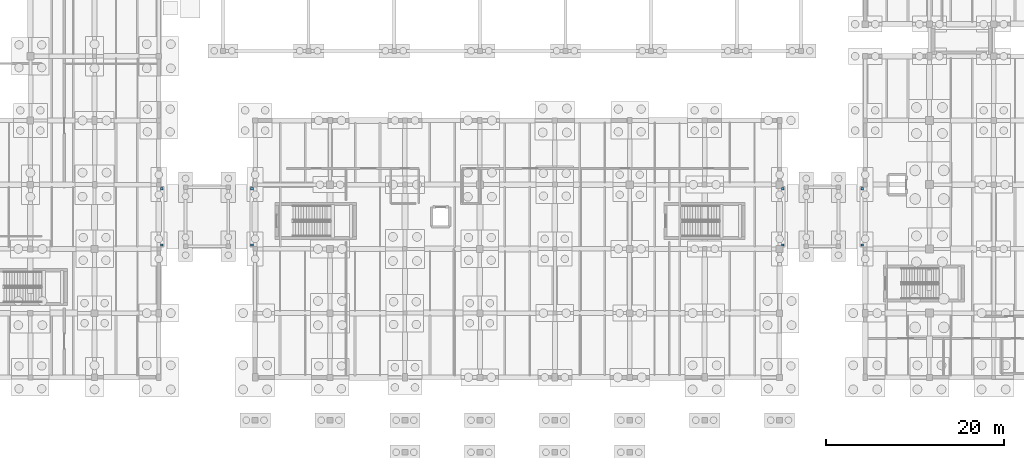
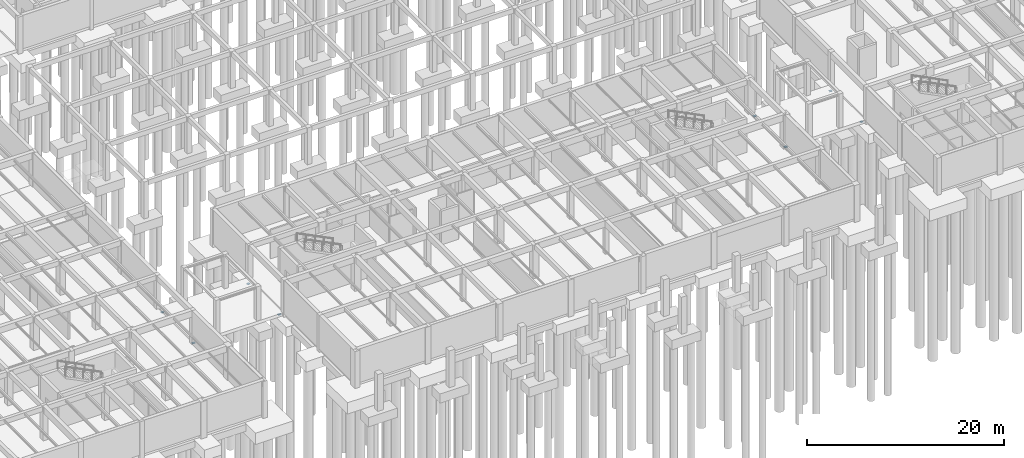
# One storey, part 52 of 63: 8 discrete accessories.
"""IFC4 building model written with IfcOpenShell, lengths in metres."""

from ifc_helpers import new_model, si_unit, direction, frame, origin, origin_2d, place, context, subcontext, project, spatial, rectangle, extrude, material, type_object, element, save


model = new_model("IFC4")

# Units and contexts
model_context = context("Model", 3, precision=1e-05, world=origin(), true_north=direction((0.0, 1.0)))
body_context = subcontext(model_context, "Body", "Model", "MODEL_VIEW")
ifc_project = project(units=[si_unit("LENGTHUNIT", "METRE"), si_unit("AREAUNIT", "SQUARE_METRE"), si_unit("VOLUMEUNIT", "CUBIC_METRE"), si_unit("PLANEANGLEUNIT", "RADIAN"), si_unit("MASSUNIT", "GRAM", prefix="KILO")], contexts=[model_context])

# Site, building, storey
site_placement = place(None, origin())
site = spatial("IfcSite", under=ifc_project, at=site_placement, CompositionType="ELEMENT")
building_placement = place(site_placement, origin())
building = spatial("IfcBuilding", under=site, at=building_placement, Name="Mazaris Harbour Polytechnic", CompositionType="ELEMENT")
storey_placement = place(building_placement, frame((0.0, 0.0, -4.5)))
storey = spatial("IfcBuildingStorey", under=building, at=storey_placement, Name="B1", CompositionType="ELEMENT", Elevation=-4.5)

# Discrete accessories
ifc_material = material(Name="Steel S355", Category="steel")
discrete_accessory_type = type_object("IfcDiscreteAccessoryType", Name="PTFE Sliding Bridge Bearing 300x250x65", PredefinedType="BRACKET", material=ifc_material)
for number, where, z_axis, x_axis, name in (
    (1, (43.550048828125, 22.050048828125, -0.445068359375), (0.0, 0.0, 1.0), (1.0, 0.0, 0.0), "PB-W1 B1 PTFE Sliding Bearing W1"),
    (2, (43.550048828125, 28.35009765625, -0.445068359375), (0.0, 0.0, 1.0), (1.0, 0.0, 0.0), "PB-W1 B1 PTFE Sliding Bearing W2"),
    (3, (53.64990234375, 22.050048828125, -0.445068359375), (0.0, 0.0, 1.0), (1.0, 0.0, 0.0), "PB-W1 B1 PTFE Sliding Bearing E1"),
    (4, (53.64990234375, 28.35009765625, -0.445068359375), (0.0, 0.0, 1.0), (1.0, 0.0, 0.0), "PB-W1 B1 PTFE Sliding Bearing E2"),
    (5, (113.14990234375, 22.050048828125, -0.445068359375), (0.0, 0.0, 1.0), (1.0, 0.0, 0.0), "PB-E1 B1 PTFE Sliding Bearing W1"),
    (6, (113.14990234375, 28.35009765625, -0.445068359375), (0.0, 0.0, 1.0), (1.0, 0.0, 0.0), "PB-E1 B1 PTFE Sliding Bearing W2"),
    (7, (122.050048828125, 22.050048828125, -0.445068359375), (0.0, 0.0, 1.0), (1.0, 0.0, 0.0), "PB-E1 B1 PTFE Sliding Bearing E1"),
    (8, (122.050048828125, 28.35009765625, -0.445068359375), (0.0, 0.0, 1.0), (1.0, 0.0, 0.0), "PB-E1 B1 PTFE Sliding Bearing E2"),
):
    element("IfcDiscreteAccessory", number, at=place(storey_placement, frame(where, z_axis=z_axis, x_axis=x_axis)), inside=storey, type_object=discrete_accessory_type, Name=name, PredefinedType="BRACKET", context=body_context, shape_type="SweptSolid", body=[
        extrude(rectangle(XDim=0.300048828125, YDim=0.25, at=origin_2d()), origin(), (0.0, 0.0, 1.0), 0.06494140625),
    ])

save(model, "model.ifc")
